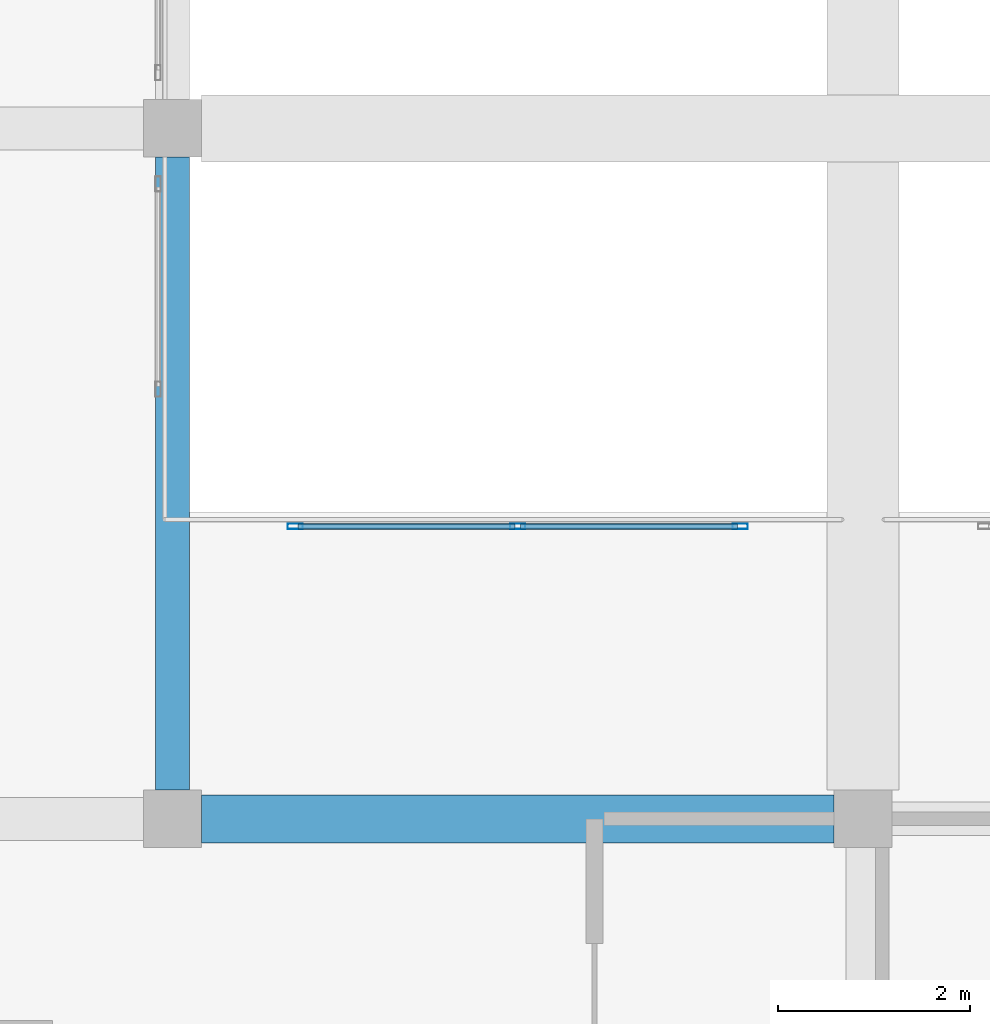
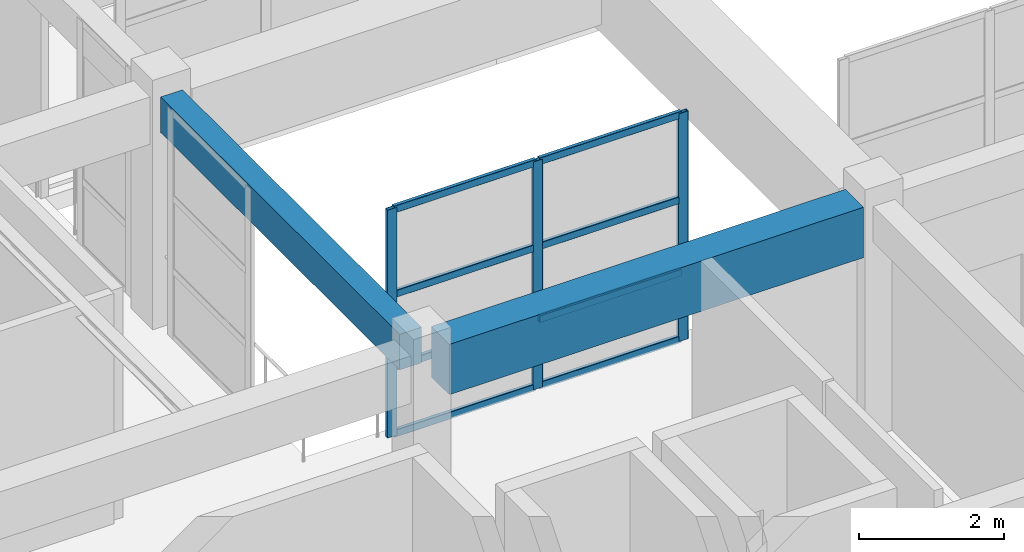
# One storey, part 34 of 99: 11 members, 2 beams, 1 element without a shape of its own.
"""IFC4 building model written with IfcOpenShell, lengths in metres."""

from ifc_helpers import new_model, si_unit, direction, frame, origin, origin_2d, place, context, subcontext, project, spatial, rectangle, hollow_rectangle, extrude, material, material_profile, profile_set, type_object, element, aggregate, save


model = new_model("IFC4")

# Units and contexts
model_context = context("Model", 3, precision=1e-05, world=origin(), true_north=direction((0.0, 1.0)))
body_context = subcontext(model_context, "Body", "Model", "MODEL_VIEW")
ifc_project = project(units=[si_unit("LENGTHUNIT", "METRE"), si_unit("AREAUNIT", "SQUARE_METRE"), si_unit("VOLUMEUNIT", "CUBIC_METRE"), si_unit("PLANEANGLEUNIT", "RADIAN"), si_unit("MASSUNIT", "GRAM", prefix="KILO")], contexts=[model_context])

# Site, building, storey
site_placement = place(None, origin())
site = spatial("IfcSite", under=ifc_project, at=site_placement, CompositionType="ELEMENT")
building_placement = place(site_placement, origin())
building = spatial("IfcBuilding", under=site, at=building_placement, Name="Bramveld Media Centre", CompositionType="ELEMENT")
storey_placement = place(building_placement, frame((0.0, 0.0, 13.800048828125)))
storey = spatial("IfcBuildingStorey", under=building, at=storey_placement, Name="L03", CompositionType="ELEMENT", Elevation=13.800048828125)

# Beams
ifc_material_1 = material(Name="Concrete C40/50", Category="concrete")
ifc_material_profile_1 = material_profile(ifc_material_1, rectangle(XDim=0.35009765625, YDim=0.60009765625, at=origin_2d()), Name="RC 350x600")
ifc_profile_set_1 = profile_set([ifc_material_profile_1], Name="Concrete C40/50")
beam_type_1 = type_object("IfcBeamType", Name="BM-INT-RC-350x600", PredefinedType="BEAM", material=ifc_profile_set_1)
beam_1_placement = place(storey_placement, frame((80.0, 97.89990234375, 3.579833984375), z_axis=(0.0, 1.0, 0.0), x_axis=(-1.0, 0.0, 0.0)))
element("IfcBeam", 1, at=beam_1_placement, inside=storey, type_object=beam_type_1, Name="V6 L03 girder Y-1158", PredefinedType="BEAM", context=body_context, shape_type="SweptSolid", body=[
    extrude(rectangle(XDim=0.35009765625, YDim=0.60009765625, at=origin_2d()), origin(), (0.0, 0.0, 1.0), 6.60009765625),
])
ifc_material_2 = material(Name="Concrete C40/50", Category="concrete")
ifc_material_profile_2 = material_profile(ifc_material_2, rectangle(XDim=0.5, YDim=0.85009765625, at=origin_2d()), Name="RC 500x850")
ifc_profile_set_2 = profile_set([ifc_material_profile_2], Name="Concrete C40/50")
beam_type_2 = type_object("IfcBeamType", Name="BM-INT-RC-500x850", PredefinedType="BEAM", material=ifc_profile_set_2)
beam_2_placement = place(storey_placement, frame((80.300048828125, 97.60009765625, 3.454833984375), z_axis=(1.0, 0.0, 0.0), x_axis=(0.0, 1.0, 0.0)))
element("IfcBeam", 2, at=beam_2_placement, inside=storey, type_object=beam_type_2, Name="V6 L03 girder X-1141", PredefinedType="BEAM", context=body_context, shape_type="SweptSolid", body=[
    extrude(rectangle(XDim=0.5, YDim=0.85009765625, at=origin_2d()), origin(), (0.0, 0.0, 1.0), 6.599853515625),
])

# Curtain wall, members
ifc_material_3 = material(Name="Thermally broken anodized bronze aluminium unitized curtain wall with solar-control triple glazing", Category="aluminium")
curtain_wall_type = type_object("IfcCurtainWallType", Name="CW-ATR-4700x3840", PredefinedType="NOTDEFINED", material=ifc_material_3)
curtain_wall_placement = place(storey_placement, origin())
curtain_wall = element("IfcCurtainWall", 3, at=curtain_wall_placement, inside=storey, type_object=curtain_wall_type, Name="V6 L03 atrium acoustic screen S1-1", PredefinedType="NOTDEFINED")
ifc_material_4 = material(Name="Thermally broken anodized bronze aluminium EN AW-6063 T6 curtain-wall framing", Category="aluminium")
ifc_material_profile_3 = material_profile(ifc_material_4, hollow_rectangle(XDim=0.06005859375, YDim=0.159912109375, WallThickness=0.00390625, InnerFilletRadius=0.00390625, OuterFilletRadius=0.008056640625, at=origin_2d()), Name="AL-MULL 60x160")
ifc_profile_set_3 = profile_set([ifc_material_profile_3], Name="Thermally broken anodized bronze aluminium EN AW-6063 T6 curtain-wall framing")
member_type_1 = type_object("IfcMemberType", Name="CW-MULL-INT", PredefinedType="MULLION", material=ifc_profile_set_3)
member_1_placement = place(storey_placement, frame((81.280029296875, 100.64990234375, 0.0), z_axis=(0.0, 0.0, 1.0), x_axis=(0.0, 1.0, 0.0)))
member_1 = element("IfcMember", 4, at=member_1_placement, type_object=member_type_1, Name="CW-AT-4738 mullion 1", PredefinedType="MULLION", context=body_context, shape_type="SweptSolid", body=[
    extrude(hollow_rectangle(XDim=0.06005859375, YDim=0.159912109375, WallThickness=0.00390625, InnerFilletRadius=0.00390625, OuterFilletRadius=0.008056640625, at=origin_2d()), origin(), (0.0, 0.0, 1.0), 3.83984375),
])
member_2_placement = place(storey_placement, frame((83.60009765625, 100.64990234375, 0.0), z_axis=(0.0, 0.0, 1.0), x_axis=(0.0, 1.0, 0.0)))
member_2 = element("IfcMember", 5, at=member_2_placement, type_object=member_type_1, Name="CW-AT-4738 mullion 2", PredefinedType="MULLION", context=body_context, shape_type="SweptSolid", body=[
    extrude(hollow_rectangle(XDim=0.06005859375, YDim=0.159912109375, WallThickness=0.00390625, InnerFilletRadius=0.00390625, OuterFilletRadius=0.008056640625, at=origin_2d()), origin(), (0.0, 0.0, 1.0), 3.83984375),
])
member_3_placement = place(storey_placement, frame((85.919921875, 100.64990234375, 0.0), z_axis=(0.0, 0.0, 1.0), x_axis=(0.0, 1.0, 0.0)))
member_3 = element("IfcMember", 6, at=member_3_placement, type_object=member_type_1, Name="CW-AT-4738 mullion 3", PredefinedType="MULLION", context=body_context, shape_type="SweptSolid", body=[
    extrude(hollow_rectangle(XDim=0.06005859375, YDim=0.159912109375, WallThickness=0.00390625, InnerFilletRadius=0.00390625, OuterFilletRadius=0.008056640625, at=origin_2d()), origin(), (0.0, 0.0, 1.0), 3.83984375),
])
ifc_material_5 = material(Name="Thermally broken anodized bronze aluminium EN AW-6063 T6 curtain-wall framing", Category="aluminium")
ifc_material_profile_4 = material_profile(ifc_material_5, hollow_rectangle(XDim=0.06005859375, YDim=0.1201171875, WallThickness=0.00341796875, InnerFilletRadius=0.00341796875, OuterFilletRadius=0.007080078125, at=origin_2d()), Name="AL-TRAN 60x120")
ifc_profile_set_4 = profile_set([ifc_material_profile_4], Name="Thermally broken anodized bronze aluminium EN AW-6063 T6 curtain-wall framing")
member_type_2 = type_object("IfcMemberType", Name="CW-TRAN-INT", PredefinedType="USERDEFINED", material=ifc_profile_set_4)
member_4_placement = place(storey_placement, frame((81.31005859375, 100.64990234375, 0.030029296875), z_axis=(1.0, 0.0, 0.0), x_axis=(0.0, 1.0, 0.0)))
member_4 = element("IfcMember", 7, at=member_4_placement, type_object=member_type_2, Name="CW-AT-4738 transom 1.1", ObjectType="TRANSOM", PredefinedType="USERDEFINED", context=body_context, shape_type="SweptSolid", body=[
    extrude(hollow_rectangle(XDim=0.06005859375, YDim=0.1201171875, WallThickness=0.00341796875, InnerFilletRadius=0.00341796875, OuterFilletRadius=0.007080078125, at=origin_2d()), origin(), (0.0, 0.0, 1.0), 2.260009765625),
])
member_5_placement = place(storey_placement, frame((81.31005859375, 100.64990234375, 1.14990234375), z_axis=(1.0, 0.0, 0.0), x_axis=(0.0, 1.0, 0.0)))
member_5 = element("IfcMember", 8, at=member_5_placement, type_object=member_type_2, Name="CW-AT-4738 transom 1.2", ObjectType="TRANSOM", PredefinedType="USERDEFINED", context=body_context, shape_type="SweptSolid", body=[
    extrude(hollow_rectangle(XDim=0.06005859375, YDim=0.1201171875, WallThickness=0.00341796875, InnerFilletRadius=0.00341796875, OuterFilletRadius=0.007080078125, at=origin_2d()), origin(), (0.0, 0.0, 1.0), 2.260009765625),
])
member_6_placement = place(storey_placement, frame((81.31005859375, 100.64990234375, 2.380859375), z_axis=(1.0, 0.0, 0.0), x_axis=(0.0, 1.0, 0.0)))
member_6 = element("IfcMember", 9, at=member_6_placement, type_object=member_type_2, Name="CW-AT-4738 transom 1.3", ObjectType="TRANSOM", PredefinedType="USERDEFINED", context=body_context, shape_type="SweptSolid", body=[
    extrude(hollow_rectangle(XDim=0.06005859375, YDim=0.1201171875, WallThickness=0.00341796875, InnerFilletRadius=0.00341796875, OuterFilletRadius=0.007080078125, at=origin_2d()), origin(), (0.0, 0.0, 1.0), 2.260009765625),
])
member_7_placement = place(storey_placement, frame((81.31005859375, 100.64990234375, 3.81005859375), z_axis=(1.0, 0.0, 0.0), x_axis=(0.0, 1.0, 0.0)))
member_7 = element("IfcMember", 10, at=member_7_placement, type_object=member_type_2, Name="CW-AT-4738 transom 1.4", ObjectType="TRANSOM", PredefinedType="USERDEFINED", context=body_context, shape_type="SweptSolid", body=[
    extrude(hollow_rectangle(XDim=0.06005859375, YDim=0.1201171875, WallThickness=0.00341796875, InnerFilletRadius=0.00341796875, OuterFilletRadius=0.007080078125, at=origin_2d()), origin(), (0.0, 0.0, 1.0), 2.260009765625),
])
member_8_placement = place(storey_placement, frame((83.6298828125, 100.64990234375, 0.030029296875), z_axis=(1.0, 0.0, 0.0), x_axis=(0.0, 1.0, 0.0)))
member_8 = element("IfcMember", 11, at=member_8_placement, type_object=member_type_2, Name="CW-AT-4738 transom 2.1", ObjectType="TRANSOM", PredefinedType="USERDEFINED", context=body_context, shape_type="SweptSolid", body=[
    extrude(hollow_rectangle(XDim=0.06005859375, YDim=0.1201171875, WallThickness=0.00341796875, InnerFilletRadius=0.00341796875, OuterFilletRadius=0.007080078125, at=origin_2d()), origin(), (0.0, 0.0, 1.0), 2.260009765625),
])
member_9_placement = place(storey_placement, frame((83.6298828125, 100.64990234375, 1.14990234375), z_axis=(1.0, 0.0, 0.0), x_axis=(0.0, 1.0, 0.0)))
member_9 = element("IfcMember", 12, at=member_9_placement, type_object=member_type_2, Name="CW-AT-4738 transom 2.2", ObjectType="TRANSOM", PredefinedType="USERDEFINED", context=body_context, shape_type="SweptSolid", body=[
    extrude(hollow_rectangle(XDim=0.06005859375, YDim=0.1201171875, WallThickness=0.00341796875, InnerFilletRadius=0.00341796875, OuterFilletRadius=0.007080078125, at=origin_2d()), origin(), (0.0, 0.0, 1.0), 2.260009765625),
])
member_10_placement = place(storey_placement, frame((83.6298828125, 100.64990234375, 2.380859375), z_axis=(1.0, 0.0, 0.0), x_axis=(0.0, 1.0, 0.0)))
member_10 = element("IfcMember", 13, at=member_10_placement, type_object=member_type_2, Name="CW-AT-4738 transom 2.3", ObjectType="TRANSOM", PredefinedType="USERDEFINED", context=body_context, shape_type="SweptSolid", body=[
    extrude(hollow_rectangle(XDim=0.06005859375, YDim=0.1201171875, WallThickness=0.00341796875, InnerFilletRadius=0.00341796875, OuterFilletRadius=0.007080078125, at=origin_2d()), origin(), (0.0, 0.0, 1.0), 2.260009765625),
])
member_11_placement = place(storey_placement, frame((83.6298828125, 100.64990234375, 3.81005859375), z_axis=(1.0, 0.0, 0.0), x_axis=(0.0, 1.0, 0.0)))
member_11 = element("IfcMember", 14, at=member_11_placement, type_object=member_type_2, Name="CW-AT-4738 transom 2.4", ObjectType="TRANSOM", PredefinedType="USERDEFINED", context=body_context, shape_type="SweptSolid", body=[
    extrude(hollow_rectangle(XDim=0.06005859375, YDim=0.1201171875, WallThickness=0.00341796875, InnerFilletRadius=0.00341796875, OuterFilletRadius=0.007080078125, at=origin_2d()), origin(), (0.0, 0.0, 1.0), 2.260009765625),
])
aggregate(curtain_wall, [member_1, member_2, member_3, member_4, member_5, member_6, member_7, member_8, member_9, member_10, member_11])

save(model, "model.ifc")
